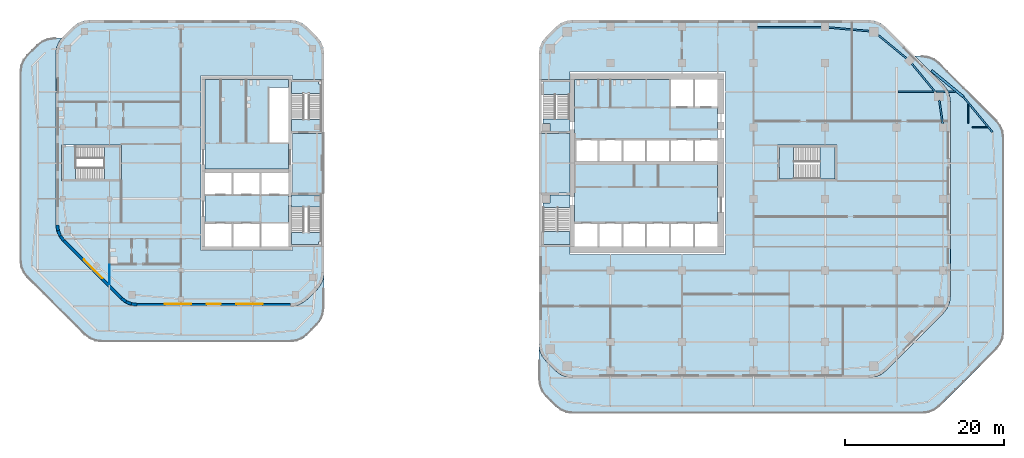
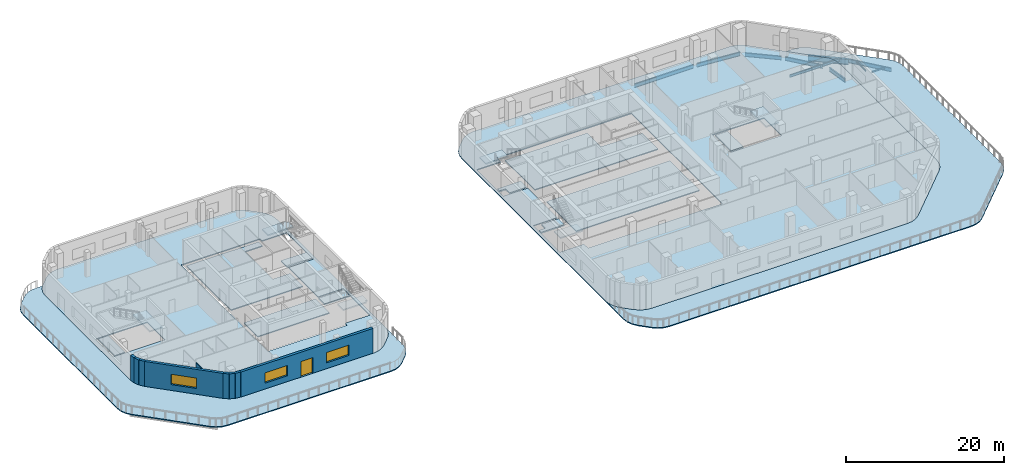
# One storey, part 4 of 15: 20 slabs, 11 beams, 9 walls, 3 windows, 1 door, 4 openings, 6 elements without a shape of their own.
"""IFC4 building model written with IfcOpenShell, lengths in metres."""

from ifc_helpers import new_model, si_unit, direction, frame, frame_2d, origin, origin_2d, place, context, subcontext, project, spatial, polyline, rectangle, i_section, outline, extrude, material, layer, layer_set, material_profile, profile_set, type_object, element, fill, aggregate, save


model = new_model("IFC4")

# Units and contexts
model_context = context("Model", 3, precision=1e-05, world=origin(), true_north=direction((0.0, 1.0)))
body_context = subcontext(model_context, "Body", "Model", "MODEL_VIEW")
ifc_project = project(units=[si_unit("LENGTHUNIT", "METRE"), si_unit("AREAUNIT", "SQUARE_METRE"), si_unit("VOLUMEUNIT", "CUBIC_METRE"), si_unit("PLANEANGLEUNIT", "RADIAN"), si_unit("MASSUNIT", "GRAM", prefix="KILO")], contexts=[model_context])

# Site, building, storey
site_placement = place(None, origin())
site = spatial("IfcSite", under=ifc_project, at=site_placement, CompositionType="ELEMENT")
building_placement = place(site_placement, origin())
building = spatial("IfcBuilding", under=site, at=building_placement, Name="Cinnabar Reach Civic Tower", CompositionType="ELEMENT")
storey_placement = place(building_placement, frame((0.0, 0.0, 100.0)))
storey = spatial("IfcBuildingStorey", under=building, at=storey_placement, Name="L23", CompositionType="ELEMENT", Elevation=100.0)

# Beams
ifc_material_1 = material(Name="Steel Q355B", Category="steel")
ifc_material_profile_1 = material_profile(ifc_material_1, i_section(OverallWidth=0.099, OverallDepth=0.198, WebThickness=0.0045, FlangeThickness=0.007, FilletRadius=0.013, at=origin_2d()), Name="HN200x100x5.5x8")
ifc_profile_set_1 = profile_set([ifc_material_profile_1], Name="Steel Q355B")
beam_type_1 = type_object("IfcBeamType", Name="HN200x100x5.5x8 beam R 180", PredefinedType="BEAM", material=ifc_profile_set_1)
beam_1_placement = place(storey_placement, frame((54.0, 36.502, -0.249), z_axis=(0.0, 1.0, 0.0), x_axis=(-1.0, 0.0, 0.0)))
element("IfcBeam", 1, at=beam_1_placement, inside=storey, type_object=beam_type_1, Name="Girder T1 L23 31", PredefinedType="BEAM", context=body_context, shape_type="SweptSolid", body=[
    extrude(i_section(OverallWidth=0.099, OverallDepth=0.198, WebThickness=0.0045, FlangeThickness=0.007, FilletRadius=0.013, at=origin_2d()), origin(), (0.0, 0.0, 1.0), 2.4298),
])
ifc_material_profile_2 = material_profile(ifc_material_1, i_section(OverallWidth=0.124, OverallDepth=0.248, WebThickness=0.005, FlangeThickness=0.008, FilletRadius=0.013, at=origin_2d()), Name="HN250x125x6x9")
ifc_profile_set_2 = profile_set([ifc_material_profile_2], Name="Steel Q355B")
beam_type_2 = type_object("IfcBeamType", Name="HN250x125x6x9 beam R 180", PredefinedType="BEAM", material=ifc_profile_set_2)
beam_2_placement = place(storey_placement, frame((54.502, 36.0, -0.274), z_axis=(1.0, 0.0, 0.0), x_axis=(0.0, 1.0, 0.0)))
element("IfcBeam", 2, at=beam_2_placement, inside=storey, type_object=beam_type_2, Name="Girder T1 L23 17", PredefinedType="BEAM", context=body_context, shape_type="SweptSolid", body=[
    extrude(i_section(OverallWidth=0.124, OverallDepth=0.248, WebThickness=0.005, FlangeThickness=0.008, FilletRadius=0.013, at=origin_2d()), origin(), (0.0, 0.0, 1.0), 1.9162),
])
ifc_material_profile_3 = material_profile(ifc_material_1, i_section(OverallWidth=0.199, OverallDepth=0.396, WebThickness=0.007, FlangeThickness=0.011, FilletRadius=0.013, at=origin_2d()), Name="HN396x199x7x11")
ifc_profile_set_3 = profile_set([ifc_material_profile_3], Name="Steel Q355B")
beam_type_3 = type_object("IfcBeamType", Name="HN396x199x7x11 beam R 180", PredefinedType="BEAM", material=ifc_profile_set_3)
beam_3_placement = place(storey_placement, frame((45.153, 40.5, -0.348), z_axis=(1.0, 0.0, 0.0), x_axis=(0.0, 1.0, 0.0)))
element("IfcBeam", 3, at=beam_3_placement, inside=storey, type_object=beam_type_3, Name="Secondary beam T1 L23 31", PredefinedType="BEAM", context=body_context, shape_type="SweptSolid", body=[
    extrude(i_section(OverallWidth=0.199, OverallDepth=0.396, WebThickness=0.007, FlangeThickness=0.011, FilletRadius=0.013, at=origin_2d()), origin(), (0.0, 0.0, 1.0), 4.5152),
])
beam_4_placement = place(storey_placement, frame((49.9327, 40.5, -0.348), z_axis=(1.0, 0.0, 0.0), x_axis=(0.0, 1.0, 0.0)))
element("IfcBeam", 4, at=beam_4_placement, inside=storey, type_object=beam_type_3, Name="Secondary beam T1 L23 32", PredefinedType="BEAM", context=body_context, shape_type="SweptSolid", body=[
    extrude(i_section(OverallWidth=0.199, OverallDepth=0.396, WebThickness=0.007, FlangeThickness=0.011, FilletRadius=0.013, at=origin_2d()), origin(), (0.0, 0.0, 1.0), 2.4991),
])
ifc_material_profile_4 = material_profile(ifc_material_1, i_section(OverallWidth=0.2, OverallDepth=0.6, WebThickness=0.011, FlangeThickness=0.017, FilletRadius=0.016, at=origin_2d()), Name="HN600x200x11x17")
ifc_profile_set_4 = profile_set([ifc_material_profile_4], Name="Steel Q355B")
beam_type_4 = type_object("IfcBeamType", Name="HN600x200x11x17 beam R 180", PredefinedType="BEAM", material=ifc_profile_set_4)
beam_5_placement = place(storey_placement, frame((50.8142, 36.252, -0.45), z_axis=(-0.140466282424, 0.990085462726, 0.0), x_axis=(-0.990085462726, -0.140466282424, 0.0)))
element("IfcBeam", 5, at=beam_5_placement, inside=storey, type_object=beam_type_4, Name="Edge beam T1 L23 11", PredefinedType="BEAM", context=body_context, shape_type="SweptSolid", body=[
    extrude(i_section(OverallWidth=0.2, OverallDepth=0.6, WebThickness=0.011, FlangeThickness=0.017, FilletRadius=0.016, at=origin_2d()), origin(), (0.0, 0.0, 1.0), 3.1958),
])
beam_6_placement = place(storey_placement, frame((49.8993, 40.3801, -0.45), z_axis=(-0.636296003473, 0.771445005145, 0.0), x_axis=(-0.771445005145, -0.636296003473, 0.0)))
element("IfcBeam", 6, at=beam_6_placement, inside=storey, type_object=beam_type_4, Name="Edge beam T1 L23 12", PredefinedType="BEAM", context=body_context, shape_type="SweptSolid", body=[
    extrude(i_section(OverallWidth=0.2, OverallDepth=0.6, WebThickness=0.011, FlangeThickness=0.017, FilletRadius=0.016, at=origin_2d()), origin(), (0.0, 0.0, 1.0), 5.047),
])
beam_7_placement = place(storey_placement, frame((46.3193, 44.6063, -0.45), z_axis=(-0.771438016444, 0.636304476478, 0.0), x_axis=(-0.636304476478, -0.771438016444, 0.0)))
element("IfcBeam", 7, at=beam_7_placement, inside=storey, type_object=beam_type_4, Name="Edge beam T1 L23 13", PredefinedType="BEAM", context=body_context, shape_type="SweptSolid", body=[
    extrude(i_section(OverallWidth=0.2, OverallDepth=0.6, WebThickness=0.011, FlangeThickness=0.017, FilletRadius=0.016, at=origin_2d()), origin(), (0.0, 0.0, 1.0), 4.682),
])
beam_8_placement = place(storey_placement, frame((42.2786, 48.0352, -0.45), z_axis=(-0.995978892505, 0.08958820059, 0.0), x_axis=(-0.08958820059, -0.995978892505, 0.0)))
element("IfcBeam", 8, at=beam_8_placement, inside=storey, type_object=beam_type_4, Name="Edge beam T1 L23 14", PredefinedType="BEAM", context=body_context, shape_type="SweptSolid", body=[
    extrude(i_section(OverallWidth=0.2, OverallDepth=0.6, WebThickness=0.011, FlangeThickness=0.017, FilletRadius=0.016, at=origin_2d()), origin(), (0.0, 0.0, 1.0), 6.0521),
])
beam_9_placement = place(storey_placement, frame((35.7982, 48.6, -0.45), z_axis=(-1.0, 0.0, 0.0), x_axis=(0.0, -1.0, 0.0)))
element("IfcBeam", 9, at=beam_9_placement, inside=storey, type_object=beam_type_4, Name="Edge beam T1 L23 15", PredefinedType="BEAM", context=body_context, shape_type="SweptSolid", body=[
    extrude(i_section(OverallWidth=0.2, OverallDepth=0.6, WebThickness=0.011, FlangeThickness=0.017, FilletRadius=0.016, at=origin_2d()), origin(), (0.0, 0.0, 1.0), 8.5964),
])
beam_10_placement = place(storey_placement, frame((57.0469, 35.3981, -0.45), z_axis=(-0.636307142697, 0.77143581726, 0.0), x_axis=(-0.77143581726, -0.636307142697, 0.0)))
element("IfcBeam", 10, at=beam_10_placement, inside=storey, type_object=beam_type_4, Name="Edge beam T1 L23 36", PredefinedType="BEAM", context=body_context, shape_type="SweptSolid", body=[
    extrude(i_section(OverallWidth=0.2, OverallDepth=0.6, WebThickness=0.011, FlangeThickness=0.017, FilletRadius=0.016, at=origin_2d()), origin(), (0.0, 0.0, 1.0), 5.7886),
])
ifc_material_profile_5 = material_profile(ifc_material_1, i_section(OverallWidth=0.3, OverallDepth=0.9, WebThickness=0.016, FlangeThickness=0.028, FilletRadius=0.02, at=origin_2d()), Name="HN900x300x16x28")
ifc_profile_set_5 = profile_set([ifc_material_profile_5], Name="Steel Q355B")
beam_type_5 = type_object("IfcBeamType", Name="TRANSFER HN900x300x16x28 R 240", PredefinedType="BEAM", material=ifc_profile_set_5)
beam_11_placement = place(storey_placement, frame((53.3636, 39.8636, -0.6), z_axis=(-0.771438631515, 0.636303730782, 0.0), x_axis=(-0.636303730782, -0.771438631515, 0.0)))
element("IfcBeam", 11, at=beam_11_placement, inside=storey, type_object=beam_type_5, Name="Edge beam T1 L23 37", PredefinedType="BEAM", context=body_context, shape_type="SweptSolid", body=[
    extrude(i_section(OverallWidth=0.3, OverallDepth=0.9, WebThickness=0.016, FlangeThickness=0.028, FilletRadius=0.02, at=origin_2d()), origin(), (0.0, 0.0, 1.0), 5.1637),
])

# Slabs
ifc_material_2 = material(Name="Concrete C40", Category="concrete")
ifc_layer_1 = layer(ifc_material_2, 0.15)
ifc_layer_set_1 = layer_set([ifc_layer_1], Name="Composite floor slab 150 REI 120")
slab_type_1 = type_object("IfcSlabType", Name="Composite floor slab 150 REI 120", PredefinedType="FLOOR", material=ifc_layer_set_1)
slab_1_placement = place(storey_placement, frame((0.0, 0.0, -0.15)))
element("IfcSlab", 12, at=slab_1_placement, inside=storey, type_object=slab_type_1, Name="Composite floor slab 150 T2 L23", PredefinedType="FLOOR", context=body_context, shape_type="SweptSolid", body=[
    extrude(outline(polyline([(-59.8713, 21.6213), (-60.3481, 22.2426), (-60.6478, 22.9662), (-60.75, 23.7426), (-60.75, 45.2574), (-60.6478, 46.0338), (-60.3481, 46.7574), (-59.8713, 47.3787), (-58.6287, 48.6213), (-58.0074, 49.0981), (-57.2838, 49.3978), (-56.5074, 49.5), (-31.2426, 49.5), (-30.4662, 49.3978), (-29.7426, 49.0981), (-29.1213, 48.6213), (-27.8787, 47.3787), (-27.4019, 46.7574), (-27.1022, 46.0338), (-27.0, 45.2574), (-27.0, 17.7426), (-27.1022, 16.9662), (-27.4019, 16.2426), (-27.8787, 15.6213), (-29.1213, 14.3787), (-29.7426, 13.9019), (-30.4662, 13.6022), (-31.2426, 13.5), (-50.5074, 13.5), (-51.2838, 13.6022), (-52.0074, 13.9019), (-52.6287, 14.3787), (-59.8713, 21.6213)]), holes=[polyline([(-31.0, 27.75), (-31.0, 35.25), (-27.36, 35.25), (-27.36, 42.0), (-31.0, 42.0), (-31.0, 42.5), (-42.5, 42.5), (-42.5, 20.5), (-31.0, 20.5), (-31.0, 21.0), (-27.36, 21.0), (-27.36, 27.75), (-31.0, 27.75)]), polyline([(-60.0, 33.75), (-60.0, 29.25), (-52.5, 29.25), (-52.5, 33.75), (-60.0, 33.75)])]), origin(), (0.0, 0.0, 1.0), 0.15),
])
ifc_layer_2 = layer(ifc_material_2, 0.15)
ifc_layer_set_2 = layer_set([ifc_layer_2], Name="Composite floor slab 150 REI 150")
slab_type_2 = type_object("IfcSlabType", Name="Composite floor slab 150 REI 150", PredefinedType="FLOOR", material=ifc_layer_set_2)
slab_2_placement = place(storey_placement, frame((0.0, 0.0, -0.15)))
element("IfcSlab", 13, at=slab_2_placement, inside=storey, type_object=slab_type_2, Name="Composite floor slab 150 T1 L23", PredefinedType="FLOOR", context=body_context, shape_type="SweptSolid", body=[
    extrude(outline(polyline([(0.8787, 6.6213), (0.4019, 7.2426), (0.1022, 7.9662), (0.0, 8.7426), (0.0, 45.2574), (0.1022, 46.0338), (0.4019, 46.7574), (0.8787, 47.3787), (2.1213, 48.6213), (2.7426, 49.0981), (3.4662, 49.3978), (4.2426, 49.5), (41.5074, 49.5), (42.2838, 49.3978), (43.0074, 49.0981), (43.6287, 48.6213), (50.8713, 41.3787), (51.3481, 40.7574), (51.6478, 40.0338), (51.75, 39.2574), (51.75, 14.7426), (51.6478, 13.9662), (51.3481, 13.2426), (50.8713, 12.6213), (43.6287, 5.3787), (43.0074, 4.9019), (42.2838, 4.6022), (41.5074, 4.5), (4.2426, 4.5), (3.4662, 4.6022), (2.7426, 4.9019), (2.1213, 5.3787), (0.8787, 6.6213)]), holes=[polyline([(0.36, 21.0), (3.9, 21.0), (3.9, 20.0), (23.5, 20.0), (23.5, 43.0), (3.9, 43.0), (3.9, 42.0), (0.36, 42.0), (0.36, 35.25), (3.9, 35.25), (3.9, 27.75), (0.36, 27.75), (0.36, 21.0)]), polyline([(30.0, 33.75), (30.0, 29.25), (37.5, 29.25), (37.5, 33.75), (30.0, 33.75)])]), origin(), (0.0, 0.0, 1.0), 0.15),
])

# Stair, slabs
ifc_material_3 = material(Name="Concrete C40/50", Category="concrete")
stair_type_1 = type_object("IfcStairType", Name="T1 Exit stair, half-turn", PredefinedType="HALF_TURN_STAIR", material=ifc_material_3)
stair_1_placement = place(storey_placement, origin())
stair_1 = element("IfcStair", 14, at=stair_1_placement, inside=storey, type_object=stair_type_1, Name="Stair T1-S1", PredefinedType="HALF_TURN_STAIR")
ifc_layer_3 = layer(ifc_material_3, 0.2)
ifc_layer_set_3 = layer_set([ifc_layer_3], Name="T1 Stair landing 200, Concrete C40/50")
slab_type_3 = type_object("IfcSlabType", Name="T1 Stair landing 200, Concrete C40/50", PredefinedType="LANDING", material=ifc_layer_set_3)
slab_3_placement = place(storey_placement, frame((0.0, 0.0, -0.2)))
slab_3 = element("IfcSlab", 15, at=slab_3_placement, type_object=slab_type_3, Name="T1-S1 landing 1", PredefinedType="LANDING", context=body_context, shape_type="SweptSolid", body=[
    extrude(outline(polyline([(3.9, 27.5), (3.9, 25.95), (0.5, 25.95), (0.5, 26.5), (1.4, 26.5), (1.4, 27.5), (3.9, 27.5)])), origin(), (0.0, 0.0, 1.0), 0.2),
])
slab_4_placement = place(storey_placement, frame((0.0, 0.0, 1.8)))
slab_4 = element("IfcSlab", 16, at=slab_4_placement, type_object=slab_type_3, Name="T1-S1 landing 2", PredefinedType="LANDING", context=body_context, shape_type="SweptSolid", body=[
    extrude(outline(polyline([(0.6, 21.25), (0.6, 22.87), (3.9, 22.87), (3.9, 21.25), (0.6, 21.25)])), origin(), (0.0, 0.0, 1.0), 0.2),
])
aggregate(stair_1, [slab_3, slab_4])

stair_2_placement = place(storey_placement, origin())
stair_2 = element("IfcStair", 17, at=stair_2_placement, inside=storey, type_object=stair_type_1, Name="Stair T1-S2", PredefinedType="HALF_TURN_STAIR")
slab_5_placement = place(storey_placement, frame((0.0, 0.0, -0.2)))
slab_5 = element("IfcSlab", 18, at=slab_5_placement, type_object=slab_type_3, Name="T1-S2 landing 1", PredefinedType="LANDING", context=body_context, shape_type="SweptSolid", body=[
    extrude(outline(polyline([(0.5, 37.05), (3.9, 37.05), (3.9, 35.5), (1.4, 35.5), (1.4, 36.5), (0.5, 36.5), (0.5, 37.05)])), origin(), (0.0, 0.0, 1.0), 0.2),
])
slab_6_placement = place(storey_placement, frame((0.0, 0.0, 1.8)))
slab_6 = element("IfcSlab", 19, at=slab_6_placement, type_object=slab_type_3, Name="T1-S2 landing 2", PredefinedType="LANDING", context=body_context, shape_type="SweptSolid", body=[
    extrude(outline(polyline([(0.6, 40.13), (0.6, 41.75), (3.9, 41.75), (3.9, 40.13), (0.6, 40.13)])), origin(), (0.0, 0.0, 1.0), 0.2),
])
aggregate(stair_2, [slab_5, slab_6])

stair_3_placement = place(storey_placement, origin())
stair_3 = element("IfcStair", 20, at=stair_3_placement, inside=storey, type_object=stair_type_1, Name="Stair T1-S3", PredefinedType="HALF_TURN_STAIR")
slab_7_placement = place(storey_placement, frame((0.0, 0.0, -0.2)))
slab_7 = element("IfcSlab", 21, at=slab_7_placement, type_object=slab_type_3, Name="T1-S3 landing 1", PredefinedType="LANDING", context=body_context, shape_type="SweptSolid", body=[
    extrude(outline(polyline([(30.25, 29.5), (32.05, 29.5), (32.05, 33.5), (30.25, 33.5), (30.25, 29.5)])), origin(), (0.0, 0.0, 1.0), 0.2),
])
slab_8_placement = place(storey_placement, frame((0.0, 0.0, 1.8)))
slab_8 = element("IfcSlab", 22, at=slab_8_placement, type_object=slab_type_3, Name="T1-S3 landing 2", PredefinedType="LANDING", context=body_context, shape_type="SweptSolid", body=[
    extrude(outline(polyline([(35.35, 29.5), (37.25, 29.5), (37.25, 33.5), (35.35, 33.5), (35.35, 29.5)])), origin(), (0.0, 0.0, 1.0), 0.2),
])
aggregate(stair_3, [slab_7, slab_8])

# Slabs
ifc_layer_4 = layer(ifc_material_3, 0.15)
ifc_layer_set_4 = layer_set([ifc_layer_4], Name="T1 core floor slab 150")
slab_type_4 = type_object("IfcSlabType", Name="T1 core floor slab 150", PredefinedType="FLOOR", material=ifc_layer_set_4)
slab_9_placement = place(storey_placement, frame((0.0, 0.0, -0.15)))
element("IfcSlab", 23, at=slab_9_placement, inside=storey, type_object=slab_type_4, Name="Core floor slab L23", PredefinedType="FLOOR", context=body_context, shape_type="SweptSolid", body=[
    extrude(outline(polyline([(22.5, 24.0), (19.5, 24.0), (16.5, 24.0), (13.5, 24.0), (10.5, 24.0), (7.5, 24.0), (4.5, 24.0), (4.5, 31.5), (7.5, 31.5), (10.5, 31.5), (13.5, 31.5), (16.5, 31.5), (19.5, 31.5), (22.5, 31.5), (22.5, 24.0)])), origin(), (0.0, 0.0, 1.0), 0.15),
])
slab_10_placement = place(storey_placement, frame((0.0, 0.0, -0.15)))
element("IfcSlab", 24, at=slab_10_placement, inside=storey, type_object=slab_type_4, Name="Core floor slab L23", PredefinedType="FLOOR", context=body_context, shape_type="SweptSolid", body=[
    extrude(outline(polyline([(22.5, 34.5), (19.5, 34.5), (16.5, 34.5), (13.5, 34.5), (10.5, 34.5), (7.5, 34.5), (4.5, 34.5), (4.5, 42.0), (16.5, 42.0), (16.5, 38.5), (19.5, 38.5), (22.5, 38.5), (22.5, 34.5)])), origin(), (0.0, 0.0, 1.0), 0.15),
])
ifc_layer_5 = layer(ifc_material_2, 0.15)
ifc_layer_set_5 = layer_set([ifc_layer_5], Name="T2 Core floor slab 150")
slab_type_5 = type_object("IfcSlabType", Name="T2 Core floor slab 150", PredefinedType="FLOOR", material=ifc_layer_set_5)
slab_11_placement = place(storey_placement, frame((0.0, 0.0, -0.15)))
element("IfcSlab", 25, at=slab_11_placement, inside=storey, type_object=slab_type_5, Name="Core floor slab L23", PredefinedType="FLOOR", context=body_context, shape_type="SweptSolid", body=[
    extrude(outline(polyline([(-42.0, 42.0), (-31.5, 42.0), (-31.5, 41.0), (-34.0, 41.0), (-34.0, 34.0), (-31.5, 34.0), (-31.5, 30.75), (-42.0, 30.75), (-42.0, 42.0)])), origin(), (0.0, 0.0, 1.0), 0.15),
])
slab_12_placement = place(storey_placement, frame((0.0, 0.0, -0.15)))
element("IfcSlab", 26, at=slab_12_placement, inside=storey, type_object=slab_type_5, Name="Core floor slab L23", PredefinedType="FLOOR", context=body_context, shape_type="SweptSolid", body=[
    extrude(outline(polyline([(-35.0, 24.0), (-38.5, 24.0), (-42.0, 24.0), (-42.0, 27.5), (-38.5, 27.5), (-35.0, 27.5), (-31.5, 27.5), (-31.5, 24.0), (-35.0, 24.0)])), origin(), (0.0, 0.0, 1.0), 0.15),
])

# Stair, slabs
stair_type_2 = type_object("IfcStairType", Name="T2 Exit stair 1500", PredefinedType="HALF_TURN_STAIR", material=ifc_material_2)
stair_4_placement = place(storey_placement, origin())
stair_4 = element("IfcStair", 27, at=stair_4_placement, inside=storey, type_object=stair_type_2, Name="Exit stair 1", PredefinedType="HALF_TURN_STAIR")
ifc_layer_6 = layer(ifc_material_2, 0.2)
ifc_layer_set_6 = layer_set([ifc_layer_6], Name="T2 Stair landing 200")
slab_type_6 = type_object("IfcSlabType", Name="T2 Stair landing 200", PredefinedType="LANDING", material=ifc_layer_set_6)
slab_13_placement = place(storey_placement, frame((0.0, 0.0, -0.2)))
slab_13 = element("IfcSlab", 28, at=slab_13_placement, type_object=slab_type_6, Name="ST1 landing 1", PredefinedType="LANDING", context=body_context, shape_type="SweptSolid", body=[
    extrude(outline(polyline([(-31.1, 26.0), (-31.1, 27.5), (-27.4, 27.5), (-27.4, 26.0), (-31.1, 26.0)])), origin(), (0.0, 0.0, 1.0), 0.2),
])
slab_14_placement = place(storey_placement, frame((0.0, 0.0, 1.8)))
slab_14 = element("IfcSlab", 29, at=slab_14_placement, type_object=slab_type_6, Name="ST1 landing 2", PredefinedType="LANDING", context=body_context, shape_type="SweptSolid", body=[
    extrude(outline(polyline([(-31.1, 21.25), (-31.1, 22.75), (-27.4, 22.75), (-27.4, 21.55), (-27.7, 21.55), (-27.7, 21.25), (-31.1, 21.25)])), origin(), (0.0, 0.0, 1.0), 0.2),
])
aggregate(stair_4, [slab_13, slab_14])

stair_5_placement = place(storey_placement, origin())
stair_5 = element("IfcStair", 30, at=stair_5_placement, inside=storey, type_object=stair_type_2, Name="Exit stair 2", PredefinedType="HALF_TURN_STAIR")
slab_15_placement = place(storey_placement, frame((0.0, 0.0, -0.2)))
slab_15 = element("IfcSlab", 31, at=slab_15_placement, type_object=slab_type_6, Name="ST2 landing 1", PredefinedType="LANDING", context=body_context, shape_type="SweptSolid", body=[
    extrude(outline(polyline([(-31.1, 35.5), (-31.1, 37.0), (-27.4, 37.0), (-27.4, 35.5), (-31.1, 35.5)])), origin(), (0.0, 0.0, 1.0), 0.2),
])
slab_16_placement = place(storey_placement, frame((0.0, 0.0, 1.8)))
slab_16 = element("IfcSlab", 32, at=slab_16_placement, type_object=slab_type_6, Name="ST2 landing 2", PredefinedType="LANDING", context=body_context, shape_type="SweptSolid", body=[
    extrude(outline(polyline([(-27.4, 40.25), (-31.1, 40.25), (-31.1, 41.75), (-27.7, 41.75), (-27.7, 41.45), (-27.4, 41.45), (-27.4, 40.25)])), origin(), (0.0, 0.0, 1.0), 0.2),
])
aggregate(stair_5, [slab_15, slab_16])

stair_6_placement = place(storey_placement, origin())
stair_6 = element("IfcStair", 33, at=stair_6_placement, inside=storey, type_object=stair_type_2, Name="Exit stair 3", PredefinedType="HALF_TURN_STAIR")
slab_17_placement = place(storey_placement, frame((0.0, 0.0, -0.2)))
slab_17 = element("IfcSlab", 34, at=slab_17_placement, type_object=slab_type_6, Name="ST3 landing 1", PredefinedType="LANDING", context=body_context, shape_type="SweptSolid", body=[
    extrude(outline(polyline([(-59.75, 29.375), (-59.75, 33.625), (-58.25, 33.625), (-58.25, 29.375), (-59.75, 29.375)])), origin(), (0.0, 0.0, 1.0), 0.2),
])
slab_18_placement = place(storey_placement, frame((0.0, 0.0, 1.8)))
slab_18 = element("IfcSlab", 35, at=slab_18_placement, type_object=slab_type_6, Name="ST3 landing 2", PredefinedType="LANDING", context=body_context, shape_type="SweptSolid", body=[
    extrude(outline(polyline([(-54.65, 29.375), (-54.65, 33.625), (-52.75, 33.625), (-52.75, 29.375), (-54.65, 29.375)])), origin(), (0.0, 0.0, 1.0), 0.2),
])
aggregate(stair_6, [slab_17, slab_18])

# Slabs
ifc_layer_7 = layer(ifc_material_2, 0.15)
ifc_layer_set_7 = layer_set([ifc_layer_7], Name="Terrace slab 150 REI 120")
slab_type_7 = type_object("IfcSlabType", Name="Terrace slab 150 REI 120", PredefinedType="FLOOR", material=ifc_layer_set_7)
slab_19_placement = place(storey_placement, frame((0.0, 0.0, -0.15)))
element("IfcSlab", 36, at=slab_19_placement, inside=storey, type_object=slab_type_7, Name="Terrace slab T2 L23 1", PredefinedType="FLOOR", context=body_context, shape_type="SweptSolid", body=[
    extrude(outline(polyline([(-27.0, 13.2426), (-27.1022, 12.4662), (-27.4019, 11.7426), (-27.8787, 11.1213), (-29.1213, 9.8787), (-29.7426, 9.4019), (-30.4662, 9.1022), (-31.2426, 9.0), (-55.0074, 9.0), (-55.7838, 9.1022), (-56.5074, 9.4019), (-57.1287, 9.8787), (-64.3713, 17.1213), (-64.8481, 17.7426), (-65.1478, 18.4662), (-65.25, 19.2426), (-65.25, 43.0074), (-65.1478, 43.7838), (-64.8481, 44.5074), (-64.3713, 45.1287), (-63.1287, 46.3713), (-62.5074, 46.8481), (-61.7838, 47.1478), (-61.0074, 47.25), (-59.9701, 47.25), (-60.3481, 46.7574), (-60.6478, 46.0338), (-60.75, 45.2574), (-60.75, 23.7426), (-60.6478, 22.9662), (-60.3481, 22.2426), (-59.8713, 21.6213), (-52.6287, 14.3787), (-52.0074, 13.9019), (-51.2838, 13.6022), (-50.5074, 13.5), (-31.2426, 13.5), (-30.4662, 13.6022), (-29.7426, 13.9019), (-29.1213, 14.3787), (-27.8787, 15.6213), (-27.4019, 16.2426), (-27.1022, 16.9662), (-27.0, 17.7426), (-27.0, 13.2426)])), origin(), (0.0, 0.0, 1.0), 0.15),
])
ifc_layer_8 = layer(ifc_material_2, 0.15)
ifc_layer_set_8 = layer_set([ifc_layer_8], Name="Terrace slab 150 REI 150")
slab_type_8 = type_object("IfcSlabType", Name="Terrace slab 150 REI 150", PredefinedType="FLOOR", material=ifc_layer_set_8)
slab_20_placement = place(storey_placement, frame((0.0, 0.0, -0.15)))
element("IfcSlab", 37, at=slab_20_placement, inside=storey, type_object=slab_type_8, Name="Terrace slab T1 L23 1", PredefinedType="FLOOR", context=body_context, shape_type="SweptSolid", body=[
    extrude(outline(polyline([(48.2574, 45.0), (49.0338, 44.8978), (49.7574, 44.5981), (50.3787, 44.1213), (57.6213, 36.8787), (58.0981, 36.2574), (58.3978, 35.5338), (58.5, 34.7574), (58.5, 10.2426), (58.3978, 9.4662), (58.0981, 8.7426), (57.6213, 8.1213), (50.3787, 0.8787), (49.7574, 0.4019), (49.0338, 0.1022), (48.2574, 0.0), (4.2426, 0.0), (3.4662, 0.1022), (2.7426, 0.4019), (2.1213, 0.8787), (0.8787, 2.1213), (0.4019, 2.7426), (0.1022, 3.4662), (0.0, 4.2426), (0.0, 8.7426), (0.1022, 7.9662), (0.4019, 7.2426), (0.8787, 6.6213), (2.1213, 5.3787), (2.7426, 4.9019), (3.4662, 4.6022), (4.2426, 4.5), (41.5074, 4.5), (42.2838, 4.6022), (43.0074, 4.9019), (43.6287, 5.3787), (50.8713, 12.6213), (51.3481, 13.2426), (51.6478, 13.9662), (51.75, 14.7426), (51.75, 39.2574), (51.6478, 40.0338), (51.3481, 40.7574), (50.8713, 41.3787), (47.25, 45.0), (48.2574, 45.0)])), origin(), (0.0, 0.0, 1.0), 0.15),
])

# Walls
ifc_material_4 = material(Name="Facing brick with insulated backing", Category="masonry")
ifc_layer_9 = layer(ifc_material_4, 0.36)
ifc_layer_set_9 = layer_set([ifc_layer_9], Name="Brick corner wall")
wall_type_1 = type_object("IfcWallType", Name="Brick corner wall", PredefinedType="STANDARD", material=ifc_layer_set_9)
for number, where, z_axis, x_axis, name in (
    (38, (-60.567, 23.7314, 0.0), (0.0, 0.0, 1.0), (0.13055608231, -0.99144092581, 0.0), "Brick corner wall"),
    (39, (-60.4681, 23.0027, 0.0), (0.0, 0.0, 1.0), (0.382702709855, -0.923871547278, 0.0), "Brick corner wall"),
):
    element("IfcWall", number, at=place(storey_placement, frame(where, z_axis=z_axis, x_axis=x_axis)), inside=storey, type_object=wall_type_1, Name=name, PredefinedType="STANDARD", context=body_context, shape_type="SweptSolid", body=[
        extrude(rectangle(XDim=0.7131, YDim=0.36, at=frame_2d((0.3565, 0.0))), origin(), (0.0, 0.0, 1.0), 3.85),
    ])
for number, where, z_axis, x_axis, name in (
    (40, (-60.184, 22.3245, 0.0), (0.0, 0.0, 1.0), (0.608802368033, -0.793321924995, 0.0), "Brick corner wall"),
    (41, (-52.4913, 14.5002, 0.0), (0.0, 0.0, 1.0), (0.793321924995, -0.608802368033, 0.0), "Brick corner wall"),
):
    element("IfcWall", number, at=place(storey_placement, frame(where, z_axis=z_axis, x_axis=x_axis)), inside=storey, type_object=wall_type_1, Name=name, PredefinedType="STANDARD", context=body_context, shape_type="SweptSolid", body=[
        extrude(rectangle(XDim=0.7132, YDim=0.36, at=frame_2d((0.3566, 0.0))), origin(), (0.0, 0.0, 1.0), 3.85),
    ])
for number, where, z_axis, x_axis, name in (
    (42, (-51.9061, 14.0548, 0.0), (0.0, 0.0, 1.0), (0.923871547278, -0.382702709855, 0.0), "Brick corner wall"),
    (43, (-51.2256, 13.7761, 0.0), (0.0, 0.0, 1.0), (0.99144092581, -0.13055608231, 0.0), "Brick corner wall"),
):
    element("IfcWall", number, at=place(storey_placement, frame(where, z_axis=z_axis, x_axis=x_axis)), inside=storey, type_object=wall_type_1, Name=name, PredefinedType="STANDARD", context=body_context, shape_type="SweptSolid", body=[
        extrude(rectangle(XDim=0.7131, YDim=0.36, at=frame_2d((0.3565, 0.0))), origin(), (0.0, 0.0, 1.0), 3.85),
    ])

# Wall, openings, windows, door
ifc_layer_10 = layer(ifc_material_4, 0.36)
ifc_layer_set_10 = layer_set([ifc_layer_10], Name="Brick pier and spandrel wall")
wall_type_2 = type_object("IfcWallType", Name="Brick pier and spandrel wall", PredefinedType="STANDARD", material=ifc_layer_set_10)
wall_1_placement = place(storey_placement, frame((-50.5074, 13.68, 0.0), z_axis=(0.0, 0.0, 1.0), x_axis=(1.0, 0.0, 0.0)))
wall_1 = element("IfcWall", 44, at=wall_1_placement, inside=storey, type_object=wall_type_2, Name="Brick facade wall", PredefinedType="STANDARD", context=body_context, shape_type="SweptSolid", body=[
    extrude(rectangle(XDim=19.2648, YDim=0.36, at=frame_2d((9.6324, 0.0))), origin(), (0.0, 0.0, 1.0), 3.85),
])
opening_1_placement = place(wall_1_placement, frame((3.4824, 0.0, 0.9)))
opening_1 = element("IfcOpeningElement", 45, at=opening_1_placement, cuts=wall_1, Name="Opening W2669", PredefinedType="OPENING", context=body_context, shape_type="SweptSolid", body=[
    extrude(rectangle(XDim=3.3, YDim=1.6, at=frame_2d((1.65, 0.8))), frame((0.0, 0.19, 0.0), z_axis=(0.0, -1.0, 0.0), x_axis=(1.0, 0.0, 0.0)), (0.0, 0.0, 1.0), 0.38),
])
opening_2_placement = place(wall_1_placement, frame((8.7324, 0.0, 0.0)))
opening_2 = element("IfcOpeningElement", 46, at=opening_2_placement, cuts=wall_1, Name="Opening D7518", PredefinedType="OPENING", context=body_context, shape_type="SweptSolid", body=[
    extrude(rectangle(XDim=1.8, YDim=2.4, at=frame_2d((0.9, 1.2))), frame((0.0, 0.19, 0.0), z_axis=(0.0, -1.0, 0.0), x_axis=(1.0, 0.0, 0.0)), (0.0, 0.0, 1.0), 0.38),
])
opening_3_placement = place(wall_1_placement, frame((12.4824, 0.0, 0.9)))
opening_3 = element("IfcOpeningElement", 47, at=opening_3_placement, cuts=wall_1, Name="Opening W2670", PredefinedType="OPENING", context=body_context, shape_type="SweptSolid", body=[
    extrude(rectangle(XDim=3.3, YDim=1.6, at=frame_2d((1.65, 0.8))), frame((0.0, 0.19, 0.0), z_axis=(0.0, -1.0, 0.0), x_axis=(1.0, 0.0, 0.0)), (0.0, 0.0, 1.0), 0.38),
])
ifc_material_5 = material(Name="Clear double glazing in aluminium frame", Category="aluminium")
window_type = type_object("IfcWindowType", Name="Deep-set window A", PartitioningType="SINGLE_PANEL", PredefinedType="WINDOW", material=ifc_material_5)
window_1_placement = place(opening_1_placement, origin())
window_1 = element("IfcWindow", 48, at=window_1_placement, inside=storey, type_object=window_type, Name="Window south face", OverallHeight=1.6, OverallWidth=3.3, PartitioningType="SINGLE_PANEL", PredefinedType="WINDOW", context=body_context, shape_type="SweptSolid", body=[
    extrude(rectangle(XDim=3.3, YDim=1.6, at=frame_2d((1.65, 0.8))), frame((0.0, 0.13, 0.0), z_axis=(0.0, -1.0, 0.0), x_axis=(1.0, 0.0, 0.0)), (0.0, 0.0, 1.0), 0.06),
])
fill(opening_1, window_1)
window_2_placement = place(opening_3_placement, origin())
window_2 = element("IfcWindow", 49, at=window_2_placement, inside=storey, type_object=window_type, Name="Window south face", OverallHeight=1.6, OverallWidth=3.3, PartitioningType="SINGLE_PANEL", PredefinedType="WINDOW", context=body_context, shape_type="SweptSolid", body=[
    extrude(rectangle(XDim=3.3, YDim=1.6, at=frame_2d((1.65, 0.8))), frame((0.0, 0.13, 0.0), z_axis=(0.0, -1.0, 0.0), x_axis=(1.0, 0.0, 0.0)), (0.0, 0.0, 1.0), 0.06),
])
fill(opening_3, window_2)
ifc_material_6 = material(Name="Clear glazing in aluminium frame", Category="aluminium")
door_type = type_object("IfcDoorType", Name="Facade terrace double door", OperationType="SINGLE_SWING_LEFT", PredefinedType="DOOR", material=ifc_material_6)
door_placement = place(opening_2_placement, frame((1.8, 0.0, 0.0), z_axis=(0.0, 0.0, 1.0), x_axis=(-1.0, 0.0, 0.0)))
door = element("IfcDoor", 50, at=door_placement, inside=storey, type_object=door_type, Name="Terrace door", OperationType="DOUBLE_DOOR_SINGLE_SWING", OverallHeight=2.4, OverallWidth=1.8, PredefinedType="DOOR", context=body_context, shape_type="SweptSolid", body=[
    extrude(rectangle(XDim=1.8, YDim=2.4, at=frame_2d((0.9, 1.2))), frame((0.0, -0.07, 0.0), z_axis=(0.0, -1.0, 0.0), x_axis=(1.0, 0.0, 0.0)), (0.0, 0.0, 1.0), 0.05),
])
fill(opening_2, door)

# Wall, opening, window
wall_2_placement = place(storey_placement, frame((-59.744, 21.7486, 0.0), z_axis=(0.0, 0.0, 1.0), x_axis=(0.707106781187, -0.707106781187, 0.0)))
wall_2 = element("IfcWall", 51, at=wall_2_placement, inside=storey, type_object=wall_type_2, Name="Brick facade wall", PredefinedType="STANDARD", context=body_context, shape_type="SweptSolid", body=[
    extrude(rectangle(XDim=10.2426, YDim=0.36, at=frame_2d((5.1213, 0.0))), origin(), (0.0, 0.0, 1.0), 3.85),
])
opening_4_placement = place(wall_2_placement, frame((3.4713, 0.0, 0.9)))
opening_4 = element("IfcOpeningElement", 52, at=opening_4_placement, cuts=wall_2, Name="Opening W2680", PredefinedType="OPENING", context=body_context, shape_type="SweptSolid", body=[
    extrude(rectangle(XDim=3.3, YDim=1.6, at=frame_2d((1.65, 0.8))), frame((0.0, 0.19, 0.0), z_axis=(0.0, -1.0, 0.0), x_axis=(1.0, 0.0, 0.0)), (0.0, 0.0, 1.0), 0.38),
])
window_3_placement = place(opening_4_placement, origin())
window_3 = element("IfcWindow", 53, at=window_3_placement, inside=storey, type_object=window_type, Name="Window southwest face", OverallHeight=1.6, OverallWidth=3.3, PartitioningType="SINGLE_PANEL", PredefinedType="WINDOW", context=body_context, shape_type="SweptSolid", body=[
    extrude(rectangle(XDim=3.3, YDim=1.6, at=frame_2d((1.65, 0.8))), frame((0.0, 0.13, 0.0), z_axis=(0.0, -1.0, 0.0), x_axis=(1.0, 0.0, 0.0)), (0.0, 0.0, 1.0), 0.06),
])
fill(opening_4, window_3)

# Wall
ifc_material_7 = material(Name="Gypsum board on steel studs", Category="steel")
ifc_layer_11 = layer(ifc_material_7, 0.1)
ifc_layer_set_11 = layer_set([ifc_layer_11], Name="Partition wall 100 T2")
wall_type_3 = type_object("IfcWallType", Name="Partition wall 100 T2", PredefinedType="PARTITIONING", material=ifc_layer_set_11)
wall_3_placement = place(storey_placement, frame((-54.0, 16.2591, 0.0), z_axis=(0.0, 0.0, 1.0), x_axis=(0.0, 1.0, 0.0)))
element("IfcWall", 54, at=wall_3_placement, inside=storey, type_object=wall_type_3, Name="Partition wall 18", PredefinedType="PARTITIONING", context=body_context, shape_type="SweptSolid", body=[
    extrude(rectangle(XDim=2.4909, YDim=0.1, at=frame_2d((1.2454, 0.0))), origin(), (0.0, 0.0, 1.0), 3.362),
])

save(model, "model.ifc")
